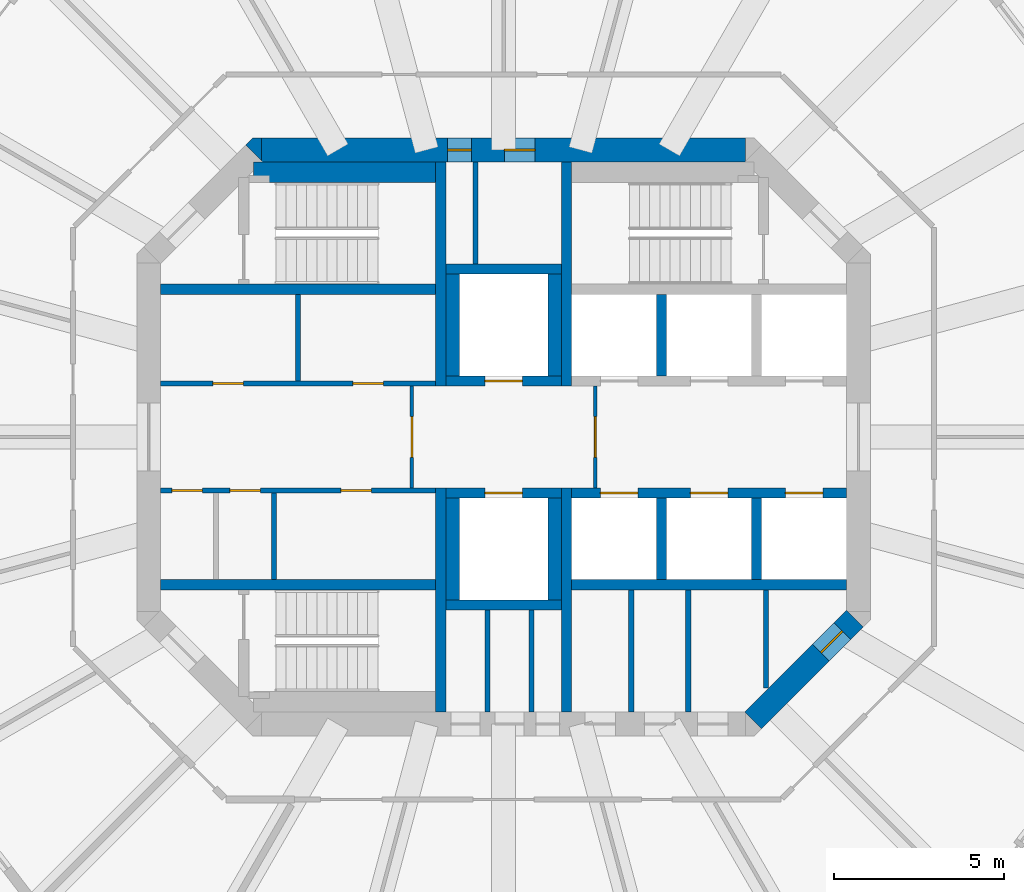
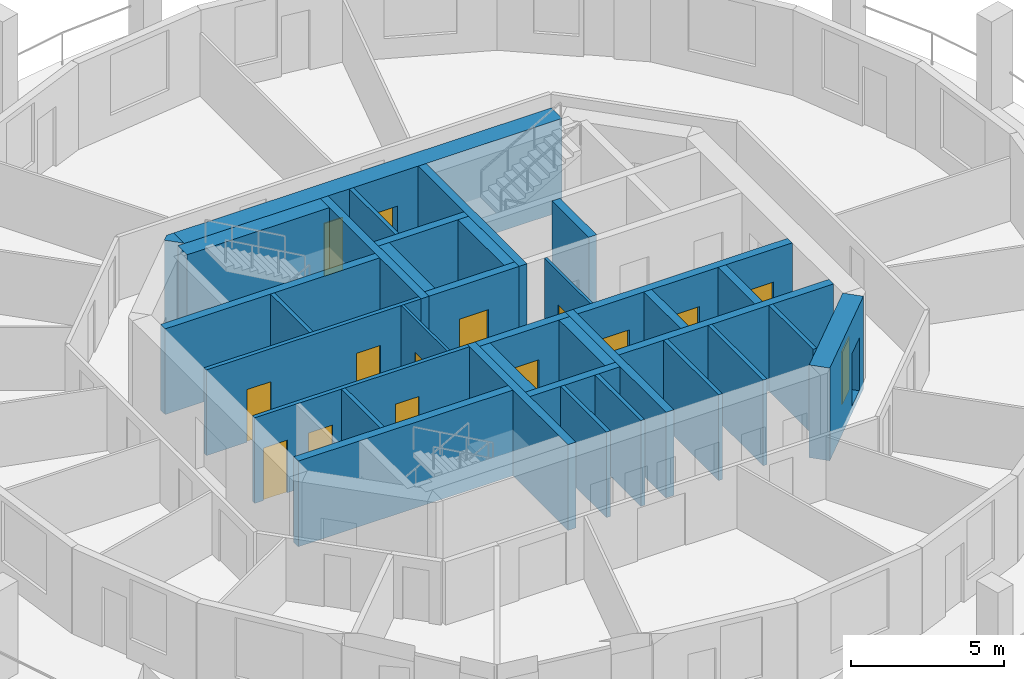
# One storey, part 4 of 9: 35 walls, 15 doors, 15 openings.
"""IFC4 building model written with IfcOpenShell, lengths in metres."""

from ifc_helpers import new_model, si_unit, direction, frame, frame_2d, origin, place, context, subcontext, project, spatial, polyline, rectangle, outline, extrude, material, layer, layer_set, type_object, element, fill, save


model = new_model("IFC4")

# Units and contexts
model_context = context("Model", 3, precision=1e-05, world=origin(), true_north=direction((0.0, 1.0)))
body_context = subcontext(model_context, "Body", "Model", "MODEL_VIEW")
ifc_project = project(units=[si_unit("LENGTHUNIT", "METRE"), si_unit("AREAUNIT", "SQUARE_METRE"), si_unit("VOLUMEUNIT", "CUBIC_METRE"), si_unit("PLANEANGLEUNIT", "RADIAN"), si_unit("MASSUNIT", "GRAM", prefix="KILO")], contexts=[model_context])

# Site, building, storey
site_placement = place(None, origin())
site = spatial("IfcSite", under=ifc_project, at=site_placement, CompositionType="ELEMENT")
building_placement = place(site_placement, origin())
building = spatial("IfcBuilding", under=site, at=building_placement, Name="Torre Triforio", CompositionType="ELEMENT")
storey_placement = place(building_placement, frame((0.0, 0.0, 215.0)))
storey = spatial("IfcBuildingStorey", under=building, at=storey_placement, Name="L49", CompositionType="ELEMENT", Elevation=215.0)

# Walls
ifc_material_1 = material(Name="Concrete C50", Category="concrete")
ifc_layer_1 = layer(ifc_material_1, 0.300048828125)
ifc_layer_set_1 = layer_set([ifc_layer_1], Name="Concrete C50")
wall_type_1 = type_object("IfcWallType", Name="Core wall 300 mm C50 EI 120", PredefinedType="SHEAR", material=ifc_layer_set_1)
for number, where, z_axis, x_axis, name in (
    (1, (-1.85009765625, 1.5, 0.0), (0.0, 0.0, 1.0), (0.0, 1.0, 0.0), "Core wall"),
    (2, (-1.85009765625, -8.10009765625, 0.0), (0.0, 0.0, 1.0), (0.0, 1.0, 0.0), "Core wall"),
    (3, (1.85009765625, 1.5, 0.0), (0.0, 0.0, 1.0), (0.0, 1.0, 0.0), "Core wall"),
    (4, (1.85009765625, -8.10009765625, 0.0), (0.0, 0.0, 1.0), (0.0, 1.0, 0.0), "Core wall"),
):
    element("IfcWall", number, at=place(storey_placement, frame(where, z_axis=z_axis, x_axis=x_axis)), inside=storey, type_object=wall_type_1, Name=name, PredefinedType="SHEAR", context=body_context, shape_type="SweptSolid", body=[
        extrude(rectangle(XDim=6.60009765625, YDim=0.300048828125, at=frame_2d((3.300048828125, 0.0))), origin(), (0.0, 0.0, 1.0), 3.419921875),
    ])

# Wall, openings, doors
ifc_layer_2 = layer(ifc_material_1, 0.699951171875)
ifc_layer_set_2 = layer_set([ifc_layer_2], Name="Concrete C50")
wall_type_2 = type_object("IfcWallType", Name="Core wall 700 mm C50 EI 120", PredefinedType="SHEAR", material=ifc_layer_set_2)
wall_1_placement = place(storey_placement, frame((-7.1298828125, 8.449951171875, -0.280029296875), z_axis=(0.0, 0.0, 1.0), x_axis=(1.0, 0.0, 0.0)))
wall_1 = element("IfcWall", 5, at=wall_1_placement, inside=storey, type_object=wall_type_2, Name="Core wall", PredefinedType="SHEAR", context=body_context, shape_type="SweptSolid", body=[
    extrude(rectangle(XDim=14.259765625, YDim=0.699951171875, at=frame_2d((7.1298828125, 0.0))), origin(), (0.0, 0.0, 1.0), 3.699951171875),
])
opening_1_placement = place(wall_1_placement, frame((5.47998046875, 0.0, 0.280029296875)))
opening_1 = element("IfcOpeningElement", 6, at=opening_1_placement, cuts=wall_1, Name="Opening RISER-N", PredefinedType="OPENING", context=body_context, shape_type="SweptSolid", body=[
    extrude(rectangle(XDim=0.699951171875, YDim=2.10009765625, at=frame_2d((0.35009765625, 1.050048828125))), frame((0.0, 0.35986328125, 0.0), z_axis=(0.0, -1.0, 0.0), x_axis=(1.0, 0.0, 0.0)), (0.0, 0.0, 1.0), 0.719970703125),
])
opening_2_placement = place(wall_1_placement, frame((7.155029296875, 0.0, 0.280029296875)))
opening_2 = element("IfcOpeningElement", 7, at=opening_2_placement, cuts=wall_1, Name="Opening NE-01", PredefinedType="OPENING", context=body_context, shape_type="SweptSolid", body=[
    extrude(rectangle(XDim=0.89990234375, YDim=2.10009765625, at=frame_2d((0.449951171875, 1.050048828125))), frame((0.0, 0.35986328125, 0.0), z_axis=(0.0, -1.0, 0.0), x_axis=(1.0, 0.0, 0.0)), (0.0, 0.0, 1.0), 0.719970703125),
])
ifc_material_2 = material(Name="Hollow metal fire door leaf")
door_type_1 = type_object("IfcDoorType", Name="Riser door 700 x 2100 EI 60", OperationType="NOTDEFINED", PredefinedType="DOOR", material=ifc_material_2)
door_1_placement = place(opening_1_placement, origin())
door_1 = element("IfcDoor", 8, at=door_1_placement, inside=storey, type_object=door_type_1, Name="Core door RISER-N", OperationType="SINGLE_SWING_LEFT", OverallHeight=2.10009765625, OverallWidth=0.699951171875, PredefinedType="DOOR", context=body_context, shape_type="SweptSolid", body=[
    extrude(rectangle(XDim=0.699951171875, YDim=2.10009765625, at=frame_2d((0.35009765625, 1.050048828125))), frame((0.0, 0.02490234375, 0.0), z_axis=(0.0, -1.0, 0.0), x_axis=(1.0, 0.0, 0.0)), (0.0, 0.0, 1.0), 0.050048828125),
])
fill(opening_1, door_1)
door_type_2 = type_object("IfcDoorType", Name="Room door 900 x 2100 EI 60", OperationType="NOTDEFINED", PredefinedType="DOOR", material=ifc_material_2)
door_2_placement = place(opening_2_placement, origin())
door_2 = element("IfcDoor", 9, at=door_2_placement, inside=storey, type_object=door_type_2, Name="Core door NE-01", OperationType="SINGLE_SWING_RIGHT", OverallHeight=2.10009765625, OverallWidth=0.89990234375, PredefinedType="DOOR", context=body_context, shape_type="SweptSolid", body=[
    extrude(rectangle(XDim=0.89990234375, YDim=2.10009765625, at=frame_2d((0.449951171875, 1.050048828125))), frame((0.0, 0.02490234375, 0.0), z_axis=(0.0, -1.0, 0.0), x_axis=(1.0, 0.0, 0.0)), (0.0, 0.0, 1.0), 0.050048828125),
])
fill(opening_2, door_2)

# Wall, opening, door
wall_2_placement = place(storey_placement, frame((10.347412109375, -5.347412109375, -0.280029296875), z_axis=(0.0, 0.0, 1.0), x_axis=(-0.707106781187, -0.707106781187, 0.0)))
wall_2 = element("IfcWall", 10, at=wall_2_placement, inside=storey, type_object=wall_type_2, Name="Core wall", PredefinedType="SHEAR", context=body_context, shape_type="SweptSolid", body=[
    extrude(rectangle(XDim=4.24267578125, YDim=0.699951171875, at=frame_2d((2.121337890625, 0.0))), origin(), (0.0, 0.0, 1.0), 3.699951171875),
])
opening_3_placement = place(wall_2_placement, frame((0.52001953125, 0.0, 0.280029296875)))
opening_3 = element("IfcOpeningElement", 11, at=opening_3_placement, cuts=wall_2, Name="Opening SE-04", PredefinedType="OPENING", context=body_context, shape_type="SweptSolid", body=[
    extrude(rectangle(XDim=0.89990234375, YDim=2.10009765625, at=frame_2d((0.449951171875, 1.050048828125))), frame((0.0, 0.35986328125, 0.0), z_axis=(0.0, -1.0, 0.0), x_axis=(1.0, 0.0, 0.0)), (0.0, 0.0, 1.0), 0.719970703125),
])
door_3_placement = place(opening_3_placement, origin())
door_3 = element("IfcDoor", 12, at=door_3_placement, inside=storey, type_object=door_type_2, Name="Core door SE-04", OperationType="SINGLE_SWING_RIGHT", OverallHeight=2.10009765625, OverallWidth=0.89990234375, PredefinedType="DOOR", context=body_context, shape_type="SweptSolid", body=[
    extrude(rectangle(XDim=0.89990234375, YDim=2.10009765625, at=frame_2d((0.449951171875, 1.050048828125))), frame((0.0, 0.02490234375, 0.0), z_axis=(0.0, -1.0, 0.0), x_axis=(1.0, 0.0, 0.0)), (0.0, 0.0, 1.0), 0.050048828125),
])
fill(opening_3, door_3)

# Wall
wall_3_placement = place(storey_placement, frame((0.0, 0.0, -0.280029296875)))
element("IfcWall", 13, at=wall_3_placement, inside=storey, type_object=wall_type_2, Name="Core wall", PredefinedType="SHEAR", context=body_context, shape_type="SweptSolid", body=[
    extrude(outline(polyline([(-7.389892578125, 8.800048828125), (-7.1298828125, 8.800048828125), (-7.1298828125, 8.800048828125), (-7.1298828125, 8.1298828125), (-7.594970703125, 8.594970703125), (-7.594970703125, 8.594970703125), (-7.594970703125, 8.594970703125), (-7.389892578125, 8.800048828125)])), origin(), (0.0, 0.0, 1.0), 3.699951171875),
])

# Wall, opening, door
ifc_material_3 = material(Name="Block and board partition")
ifc_layer_3 = layer(ifc_material_3, 0.10009765625)
ifc_layer_set_3 = layer_set([ifc_layer_3], Name="Block and board partition")
wall_type_3 = type_object("IfcWallType", Name="Partition 100 mm EI 120", PredefinedType="PARTITIONING", material=ifc_layer_set_3)
wall_4_placement = place(storey_placement, frame((-2.699951171875, -1.5, 0.0), z_axis=(0.0, 0.0, 1.0), x_axis=(0.0, 1.0, 0.0)))
wall_4 = element("IfcWall", 14, at=wall_4_placement, inside=storey, type_object=wall_type_3, Name="Partition", PredefinedType="PARTITIONING", context=body_context, shape_type="SweptSolid", body=[
    extrude(rectangle(XDim=3.0, YDim=0.10009765625, at=frame_2d((1.5, 0.0))), origin(), (0.0, 0.0, 1.0), 3.419921875),
])
opening_4_placement = place(wall_4_placement, frame((0.89990234375, 0.0, 0.0)))
opening_4 = element("IfcOpeningElement", 15, at=opening_4_placement, cuts=wall_4, Name="Opening FF-W", PredefinedType="OPENING", context=body_context, shape_type="SweptSolid", body=[
    extrude(rectangle(XDim=1.199951171875, YDim=2.10009765625, at=frame_2d((0.60009765625, 1.050048828125))), frame((0.0, 0.06005859375, 0.0), z_axis=(0.0, -1.0, 0.0), x_axis=(1.0, 0.0, 0.0)), (0.0, 0.0, 1.0), 0.1201171875),
])
door_type_3 = type_object("IfcDoorType", Name="Fire-fighting lobby door 1200 x 2100 EI 60", OperationType="NOTDEFINED", PredefinedType="DOOR", material=ifc_material_2)
door_4_placement = place(opening_4_placement, origin())
door_4 = element("IfcDoor", 16, at=door_4_placement, inside=storey, type_object=door_type_3, Name="Core door FF-W", OperationType="SINGLE_SWING_RIGHT", OverallHeight=2.10009765625, OverallWidth=1.199951171875, PredefinedType="DOOR", context=body_context, shape_type="SweptSolid", body=[
    extrude(rectangle(XDim=1.199951171875, YDim=2.10009765625, at=frame_2d((0.60009765625, 1.050048828125))), frame((0.0, 0.02490234375, 0.0), z_axis=(0.0, -1.0, 0.0), x_axis=(1.0, 0.0, 0.0)), (0.0, 0.0, 1.0), 0.050048828125),
])
fill(opening_4, door_4)

wall_5_placement = place(storey_placement, frame((2.699951171875, -1.5, 0.0), z_axis=(0.0, 0.0, 1.0), x_axis=(0.0, 1.0, 0.0)))
wall_5 = element("IfcWall", 17, at=wall_5_placement, inside=storey, type_object=wall_type_3, Name="Partition", PredefinedType="PARTITIONING", context=body_context, shape_type="SweptSolid", body=[
    extrude(rectangle(XDim=3.0, YDim=0.10009765625, at=frame_2d((1.5, 0.0))), origin(), (0.0, 0.0, 1.0), 3.419921875),
])
opening_5_placement = place(wall_5_placement, frame((0.89990234375, 0.0, 0.0)))
opening_5 = element("IfcOpeningElement", 18, at=opening_5_placement, cuts=wall_5, Name="Opening FF-E", PredefinedType="OPENING", context=body_context, shape_type="SweptSolid", body=[
    extrude(rectangle(XDim=1.199951171875, YDim=2.10009765625, at=frame_2d((0.60009765625, 1.050048828125))), frame((0.0, 0.06005859375, 0.0), z_axis=(0.0, -1.0, 0.0), x_axis=(1.0, 0.0, 0.0)), (0.0, 0.0, 1.0), 0.1201171875),
])
door_5_placement = place(opening_5_placement, origin())
door_5 = element("IfcDoor", 19, at=door_5_placement, inside=storey, type_object=door_type_3, Name="Core door FF-E", OperationType="SINGLE_SWING_RIGHT", OverallHeight=2.10009765625, OverallWidth=1.199951171875, PredefinedType="DOOR", context=body_context, shape_type="SweptSolid", body=[
    extrude(rectangle(XDim=1.199951171875, YDim=2.10009765625, at=frame_2d((0.60009765625, 1.050048828125))), frame((0.0, 0.02490234375, 0.0), z_axis=(0.0, -1.0, 0.0), x_axis=(1.0, 0.0, 0.0)), (0.0, 0.0, 1.0), 0.050048828125),
])
fill(opening_5, door_5)

# Walls
ifc_layer_4 = layer(ifc_material_3, 0.14990234375)
ifc_layer_set_4 = layer_set([ifc_layer_4], Name="Block and board partition")
wall_type_4 = type_object("IfcWallType", Name="Partition 150 mm", PredefinedType="PARTITIONING", material=ifc_layer_set_4)
wall_6_placement = place(storey_placement, frame((-0.47509765625, -8.10009765625, 0.0), z_axis=(0.0, 0.0, 1.0), x_axis=(0.0, 1.0, 0.0)))
element("IfcWall", 20, at=wall_6_placement, inside=storey, type_object=wall_type_4, Name="Partition", PredefinedType="PARTITIONING", context=body_context, shape_type="SweptSolid", body=[
    extrude(rectangle(XDim=3.0, YDim=0.14990234375, at=frame_2d((1.5, 0.0))), origin(), (0.0, 0.0, 1.0), 3.419921875),
])
for number, where, z_axis, x_axis, name in (
    (21, (3.758056640625, -8.10009765625, 0.0), (0.0, 0.0, 1.0), (0.0, 1.0, 0.0), "Partition"),
    (22, (5.43798828125, -8.10009765625, 0.0), (0.0, 0.0, 1.0), (0.0, 1.0, 0.0), "Partition"),
):
    element("IfcWall", number, at=place(storey_placement, frame(where, z_axis=z_axis, x_axis=x_axis)), inside=storey, type_object=wall_type_4, Name=name, PredefinedType="PARTITIONING", context=body_context, shape_type="SweptSolid", body=[
        extrude(rectangle(XDim=3.60009765625, YDim=0.14990234375, at=frame_2d((1.800048828125, 0.0))), origin(), (0.0, 0.0, 1.0), 3.419921875),
    ])
wall_7_placement = place(storey_placement, frame((7.72998046875, -7.39501953125, 0.0), z_axis=(0.0, 0.0, 1.0), x_axis=(0.0, 1.0, 0.0)))
element("IfcWall", 23, at=wall_7_placement, inside=storey, type_object=wall_type_4, Name="Partition", PredefinedType="PARTITIONING", context=body_context, shape_type="SweptSolid", body=[
    extrude(rectangle(XDim=2.89501953125, YDim=0.14990234375, at=frame_2d((1.447509765625, 0.0))), origin(), (0.0, 0.0, 1.0), 3.419921875),
])
for number, where, z_axis, x_axis, name in (
    (24, (-6.050048828125, 1.64990234375, 0.0), (0.0, 0.0, 1.0), (0.0, 1.0, 0.0), "Partition"),
    (25, (-6.7548828125, -4.199951171875, 0.0), (0.0, 0.0, 1.0), (0.0, 1.0, 0.0), "Partition"),
):
    element("IfcWall", number, at=place(storey_placement, frame(where, z_axis=z_axis, x_axis=x_axis)), inside=storey, type_object=wall_type_4, Name=name, PredefinedType="PARTITIONING", context=body_context, shape_type="SweptSolid", body=[
        extrude(rectangle(XDim=2.550048828125, YDim=0.14990234375, at=frame_2d((1.27490234375, 0.0))), origin(), (0.0, 0.0, 1.0), 3.419921875),
    ])
ifc_layer_5 = layer(ifc_material_3, 0.14990234375)
ifc_layer_set_5 = layer_set([ifc_layer_5], Name="Block and board partition")
wall_type_5 = type_object("IfcWallType", Name="Partition 150 mm EI 120", PredefinedType="PARTITIONING", material=ifc_layer_set_5)
for number, where, z_axis, x_axis, name in (
    (26, (-0.824951171875, 5.10009765625, 0.0), (0.0, 0.0, 1.0), (0.0, 1.0, 0.0), "Partition"),
    (27, (0.824951171875, -8.10009765625, 0.0), (0.0, 0.0, 1.0), (0.0, 1.0, 0.0), "Partition"),
):
    element("IfcWall", number, at=place(storey_placement, frame(where, z_axis=z_axis, x_axis=x_axis)), inside=storey, type_object=wall_type_5, Name=name, PredefinedType="PARTITIONING", context=body_context, shape_type="SweptSolid", body=[
        extrude(rectangle(XDim=3.0, YDim=0.14990234375, at=frame_2d((1.5, 0.0))), origin(), (0.0, 0.0, 1.0), 3.419921875),
    ])

# Wall, openings, doors
wall_8_placement = place(storey_placement, frame((-10.10009765625, 1.574951171875, 0.0), z_axis=(0.0, 0.0, 1.0), x_axis=(1.0, 0.0, 0.0)))
wall_8 = element("IfcWall", 28, at=wall_8_placement, inside=storey, type_object=wall_type_5, Name="Partition", PredefinedType="PARTITIONING", context=body_context, shape_type="SweptSolid", body=[
    extrude(rectangle(XDim=8.10009765625, YDim=0.14990234375, at=frame_2d((4.050048828125, 0.0))), origin(), (0.0, 0.0, 1.0), 3.419921875),
])
opening_6_placement = place(wall_8_placement, frame((1.53759765625, 0.0, 0.0)))
opening_6 = element("IfcOpeningElement", 29, at=opening_6_placement, cuts=wall_8, Name="Opening FN-01", PredefinedType="OPENING", context=body_context, shape_type="SweptSolid", body=[
    extrude(rectangle(XDim=0.89990234375, YDim=2.10009765625, at=frame_2d((0.449951171875, 1.050048828125))), frame((0.0, 0.0849609375, 0.0), z_axis=(0.0, -1.0, 0.0), x_axis=(1.0, 0.0, 0.0)), (0.0, 0.0, 1.0), 0.169921875),
])
opening_7_placement = place(wall_8_placement, frame((5.66259765625, 0.0, 0.0)))
opening_7 = element("IfcOpeningElement", 30, at=opening_7_placement, cuts=wall_8, Name="Opening FN-02", PredefinedType="OPENING", context=body_context, shape_type="SweptSolid", body=[
    extrude(rectangle(XDim=0.89990234375, YDim=2.10009765625, at=frame_2d((0.449951171875, 1.050048828125))), frame((0.0, 0.0849609375, 0.0), z_axis=(0.0, -1.0, 0.0), x_axis=(1.0, 0.0, 0.0)), (0.0, 0.0, 1.0), 0.169921875),
])
door_6_placement = place(opening_6_placement, origin())
door_6 = element("IfcDoor", 31, at=door_6_placement, inside=storey, type_object=door_type_2, Name="Core door FN-01", OperationType="SINGLE_SWING_RIGHT", OverallHeight=2.10009765625, OverallWidth=0.89990234375, PredefinedType="DOOR", context=body_context, shape_type="SweptSolid", body=[
    extrude(rectangle(XDim=0.89990234375, YDim=2.10009765625, at=frame_2d((0.449951171875, 1.050048828125))), frame((0.0, 0.02490234375, 0.0), z_axis=(0.0, -1.0, 0.0), x_axis=(1.0, 0.0, 0.0)), (0.0, 0.0, 1.0), 0.050048828125),
])
fill(opening_6, door_6)
door_7_placement = place(opening_7_placement, origin())
door_7 = element("IfcDoor", 32, at=door_7_placement, inside=storey, type_object=door_type_2, Name="Core door FN-02", OperationType="SINGLE_SWING_RIGHT", OverallHeight=2.10009765625, OverallWidth=0.89990234375, PredefinedType="DOOR", context=body_context, shape_type="SweptSolid", body=[
    extrude(rectangle(XDim=0.89990234375, YDim=2.10009765625, at=frame_2d((0.449951171875, 1.050048828125))), frame((0.0, 0.02490234375, 0.0), z_axis=(0.0, -1.0, 0.0), x_axis=(1.0, 0.0, 0.0)), (0.0, 0.0, 1.0), 0.050048828125),
])
fill(opening_7, door_7)

wall_9_placement = place(storey_placement, frame((-10.10009765625, -1.574951171875, 0.0), z_axis=(0.0, 0.0, 1.0), x_axis=(1.0, 0.0, 0.0)))
wall_9 = element("IfcWall", 33, at=wall_9_placement, inside=storey, type_object=wall_type_5, Name="Partition", PredefinedType="PARTITIONING", context=body_context, shape_type="SweptSolid", body=[
    extrude(rectangle(XDim=8.10009765625, YDim=0.14990234375, at=frame_2d((4.050048828125, 0.0))), origin(), (0.0, 0.0, 1.0), 3.419921875),
])
opening_8_placement = place(wall_9_placement, frame((0.330078125, 0.0, 0.0)))
opening_8 = element("IfcOpeningElement", 34, at=opening_8_placement, cuts=wall_9, Name="Opening FS-01", PredefinedType="OPENING", context=body_context, shape_type="SweptSolid", body=[
    extrude(rectangle(XDim=0.89990234375, YDim=2.10009765625, at=frame_2d((0.449951171875, 1.050048828125))), frame((0.0, 0.0849609375, 0.0), z_axis=(0.0, -1.0, 0.0), x_axis=(1.0, 0.0, 0.0)), (0.0, 0.0, 1.0), 0.169921875),
])
opening_9_placement = place(wall_9_placement, frame((2.0400390625, 0.0, 0.0)))
opening_9 = element("IfcOpeningElement", 35, at=opening_9_placement, cuts=wall_9, Name="Opening FS-02", PredefinedType="OPENING", context=body_context, shape_type="SweptSolid", body=[
    extrude(rectangle(XDim=0.89990234375, YDim=2.10009765625, at=frame_2d((0.449951171875, 1.050048828125))), frame((0.0, 0.0849609375, 0.0), z_axis=(0.0, -1.0, 0.0), x_axis=(1.0, 0.0, 0.0)), (0.0, 0.0, 1.0), 0.169921875),
])
opening_10_placement = place(wall_9_placement, frame((5.31005859375, 0.0, 0.0)))
opening_10 = element("IfcOpeningElement", 36, at=opening_10_placement, cuts=wall_9, Name="Opening FS-03", PredefinedType="OPENING", context=body_context, shape_type="SweptSolid", body=[
    extrude(rectangle(XDim=0.89990234375, YDim=2.10009765625, at=frame_2d((0.449951171875, 1.050048828125))), frame((0.0, 0.0849609375, 0.0), z_axis=(0.0, -1.0, 0.0), x_axis=(1.0, 0.0, 0.0)), (0.0, 0.0, 1.0), 0.169921875),
])
door_8_placement = place(opening_8_placement, origin())
door_8 = element("IfcDoor", 37, at=door_8_placement, inside=storey, type_object=door_type_2, Name="Core door FS-01", OperationType="SINGLE_SWING_LEFT", OverallHeight=2.10009765625, OverallWidth=0.89990234375, PredefinedType="DOOR", context=body_context, shape_type="SweptSolid", body=[
    extrude(rectangle(XDim=0.89990234375, YDim=2.10009765625, at=frame_2d((0.449951171875, 1.050048828125))), frame((0.0, 0.02490234375, 0.0), z_axis=(0.0, -1.0, 0.0), x_axis=(1.0, 0.0, 0.0)), (0.0, 0.0, 1.0), 0.050048828125),
])
fill(opening_8, door_8)
door_9_placement = place(opening_9_placement, origin())
door_9 = element("IfcDoor", 38, at=door_9_placement, inside=storey, type_object=door_type_2, Name="Core door FS-02", OperationType="SINGLE_SWING_LEFT", OverallHeight=2.10009765625, OverallWidth=0.89990234375, PredefinedType="DOOR", context=body_context, shape_type="SweptSolid", body=[
    extrude(rectangle(XDim=0.89990234375, YDim=2.10009765625, at=frame_2d((0.449951171875, 1.050048828125))), frame((0.0, 0.02490234375, 0.0), z_axis=(0.0, -1.0, 0.0), x_axis=(1.0, 0.0, 0.0)), (0.0, 0.0, 1.0), 0.050048828125),
])
fill(opening_9, door_9)
door_10_placement = place(opening_10_placement, origin())
door_10 = element("IfcDoor", 39, at=door_10_placement, inside=storey, type_object=door_type_2, Name="Core door FS-03", OperationType="SINGLE_SWING_LEFT", OverallHeight=2.10009765625, OverallWidth=0.89990234375, PredefinedType="DOOR", context=body_context, shape_type="SweptSolid", body=[
    extrude(rectangle(XDim=0.89990234375, YDim=2.10009765625, at=frame_2d((0.449951171875, 1.050048828125))), frame((0.0, 0.02490234375, 0.0), z_axis=(0.0, -1.0, 0.0), x_axis=(1.0, 0.0, 0.0)), (0.0, 0.0, 1.0), 0.050048828125),
])
fill(opening_10, door_10)

# Walls
ifc_layer_6 = layer(ifc_material_1, 0.300048828125)
ifc_layer_set_6 = layer_set([ifc_layer_6], Name="Concrete C50")
wall_type_6 = type_object("IfcWallType", Name="Shaft wall 300 mm C50 EI 120", PredefinedType="SOLIDWALL", material=ifc_layer_set_6)
for number, where, z_axis, x_axis, name in (
    (40, (-10.10009765625, 4.35009765625, 0.0), (0.0, 0.0, 1.0), (1.0, 0.0, 0.0), "Shaft wall"),
    (41, (-10.10009765625, -4.35009765625, 0.0), (0.0, 0.0, 1.0), (1.0, 0.0, 0.0), "Shaft wall"),
    (42, (2.0, -4.35009765625, 0.0), (0.0, 0.0, 1.0), (1.0, 0.0, 0.0), "Shaft wall"),
):
    element("IfcWall", number, at=place(storey_placement, frame(where, z_axis=z_axis, x_axis=x_axis)), inside=storey, type_object=wall_type_6, Name=name, PredefinedType="SOLIDWALL", context=body_context, shape_type="SweptSolid", body=[
        extrude(rectangle(XDim=8.10009765625, YDim=0.300048828125, at=frame_2d((4.050048828125, 0.0))), origin(), (0.0, 0.0, 1.0), 3.419921875),
    ])

# Wall, openings, doors
wall_10_placement = place(storey_placement, frame((2.0, -1.64990234375, 0.0), z_axis=(0.0, 0.0, 1.0), x_axis=(1.0, 0.0, 0.0)))
wall_10 = element("IfcWall", 43, at=wall_10_placement, inside=storey, type_object=wall_type_6, Name="Shaft wall", PredefinedType="SOLIDWALL", context=body_context, shape_type="SweptSolid", body=[
    extrude(rectangle(XDim=8.10009765625, YDim=0.300048828125, at=frame_2d((4.050048828125, 0.0))), origin(), (0.0, 0.0, 1.0), 3.419921875),
])
opening_11_placement = place(wall_10_placement, frame((0.85009765625, 0.0, 0.0)))
opening_11 = element("IfcOpeningElement", 44, at=opening_11_placement, cuts=wall_10, Name="Opening LD", PredefinedType="OPENING", context=body_context, shape_type="SweptSolid", body=[
    extrude(rectangle(XDim=1.10009765625, YDim=2.10009765625, at=frame_2d((0.550048828125, 1.050048828125))), frame((0.0, 0.159912109375, 0.0), z_axis=(0.0, -1.0, 0.0), x_axis=(1.0, 0.0, 0.0)), (0.0, 0.0, 1.0), 0.320068359375),
])
opening_12_placement = place(wall_10_placement, frame((3.5, 0.0, 0.0)))
opening_12 = element("IfcOpeningElement", 45, at=opening_12_placement, cuts=wall_10, Name="Opening LD", PredefinedType="OPENING", context=body_context, shape_type="SweptSolid", body=[
    extrude(rectangle(XDim=1.10009765625, YDim=2.10009765625, at=frame_2d((0.550048828125, 1.050048828125))), frame((0.0, 0.159912109375, 0.0), z_axis=(0.0, -1.0, 0.0), x_axis=(1.0, 0.0, 0.0)), (0.0, 0.0, 1.0), 0.320068359375),
])
opening_13_placement = place(wall_10_placement, frame((6.300048828125, 0.0, 0.0)))
opening_13 = element("IfcOpeningElement", 46, at=opening_13_placement, cuts=wall_10, Name="Opening LD", PredefinedType="OPENING", context=body_context, shape_type="SweptSolid", body=[
    extrude(rectangle(XDim=1.10009765625, YDim=2.10009765625, at=frame_2d((0.550048828125, 1.050048828125))), frame((0.0, 0.159912109375, 0.0), z_axis=(0.0, -1.0, 0.0), x_axis=(1.0, 0.0, 0.0)), (0.0, 0.0, 1.0), 0.320068359375),
])
door_type_4 = type_object("IfcDoorType", Name="Landing door 1100 x 2100 EI 60", OperationType="DOUBLE_DOOR_SLIDING", PredefinedType="DOOR", material=ifc_material_2)
door_11_placement = place(opening_11_placement, origin())
door_11 = element("IfcDoor", 47, at=door_11_placement, inside=storey, type_object=door_type_4, Name="Landing door HR4", OperationType="DOUBLE_DOOR_SLIDING", OverallHeight=2.10009765625, OverallWidth=1.10009765625, PredefinedType="DOOR", context=body_context, shape_type="SweptSolid", body=[
    extrude(rectangle(XDim=1.10009765625, YDim=2.10009765625, at=frame_2d((0.550048828125, 1.050048828125))), frame((0.0, 0.02490234375, 0.0), z_axis=(0.0, -1.0, 0.0), x_axis=(1.0, 0.0, 0.0)), (0.0, 0.0, 1.0), 0.050048828125),
])
fill(opening_11, door_11)
door_12_placement = place(opening_12_placement, origin())
door_12 = element("IfcDoor", 48, at=door_12_placement, inside=storey, type_object=door_type_4, Name="Landing door HR5", OperationType="DOUBLE_DOOR_SLIDING", OverallHeight=2.10009765625, OverallWidth=1.10009765625, PredefinedType="DOOR", context=body_context, shape_type="SweptSolid", body=[
    extrude(rectangle(XDim=1.10009765625, YDim=2.10009765625, at=frame_2d((0.550048828125, 1.050048828125))), frame((0.0, 0.02490234375, 0.0), z_axis=(0.0, -1.0, 0.0), x_axis=(1.0, 0.0, 0.0)), (0.0, 0.0, 1.0), 0.050048828125),
])
fill(opening_12, door_12)
door_13_placement = place(opening_13_placement, origin())
door_13 = element("IfcDoor", 49, at=door_13_placement, inside=storey, type_object=door_type_4, Name="Landing door HR6", OperationType="DOUBLE_DOOR_SLIDING", OverallHeight=2.10009765625, OverallWidth=1.10009765625, PredefinedType="DOOR", context=body_context, shape_type="SweptSolid", body=[
    extrude(rectangle(XDim=1.10009765625, YDim=2.10009765625, at=frame_2d((0.550048828125, 1.050048828125))), frame((0.0, 0.02490234375, 0.0), z_axis=(0.0, -1.0, 0.0), x_axis=(1.0, 0.0, 0.0)), (0.0, 0.0, 1.0), 0.050048828125),
])
fill(opening_13, door_13)

# Walls
for number, where, z_axis, x_axis, name in (
    (50, (4.64990234375, 1.800048828125, 0.0), (0.0, 0.0, 1.0), (0.0, 1.0, 0.0), "Shaft wall"),
    (51, (4.64990234375, -4.199951171875, 0.0), (0.0, 0.0, 1.0), (0.0, 1.0, 0.0), "Shaft wall"),
    (52, (7.449951171875, -4.199951171875, 0.0), (0.0, 0.0, 1.0), (0.0, 1.0, 0.0), "Shaft wall"),
):
    element("IfcWall", number, at=place(storey_placement, frame(where, z_axis=z_axis, x_axis=x_axis)), inside=storey, type_object=wall_type_6, Name=name, PredefinedType="SOLIDWALL", context=body_context, shape_type="SweptSolid", body=[
        extrude(rectangle(XDim=2.39990234375, YDim=0.300048828125, at=frame_2d((1.199951171875, 0.0))), origin(), (0.0, 0.0, 1.0), 3.419921875),
    ])

# Wall, opening, door
wall_11_placement = place(storey_placement, frame((-1.699951171875, 1.64990234375, 0.0), z_axis=(0.0, 0.0, 1.0), x_axis=(1.0, 0.0, 0.0)))
wall_11 = element("IfcWall", 53, at=wall_11_placement, inside=storey, type_object=wall_type_6, Name="Shaft wall", PredefinedType="SOLIDWALL", context=body_context, shape_type="SweptSolid", body=[
    extrude(rectangle(XDim=3.39990234375, YDim=0.300048828125, at=frame_2d((1.699951171875, 0.0))), origin(), (0.0, 0.0, 1.0), 3.419921875),
])
opening_14_placement = place(wall_11_placement, frame((1.14990234375, 0.0, 0.0)))
opening_14 = element("IfcOpeningElement", 54, at=opening_14_placement, cuts=wall_11, Name="Opening LD", PredefinedType="OPENING", context=body_context, shape_type="SweptSolid", body=[
    extrude(rectangle(XDim=1.10009765625, YDim=2.10009765625, at=frame_2d((0.550048828125, 1.050048828125))), frame((0.0, 0.159912109375, 0.0), z_axis=(0.0, -1.0, 0.0), x_axis=(1.0, 0.0, 0.0)), (0.0, 0.0, 1.0), 0.320068359375),
])
door_14_placement = place(opening_14_placement, origin())
door_14 = element("IfcDoor", 55, at=door_14_placement, inside=storey, type_object=door_type_4, Name="Landing door FFL1", OperationType="DOUBLE_DOOR_SLIDING", OverallHeight=2.10009765625, OverallWidth=1.10009765625, PredefinedType="DOOR", context=body_context, shape_type="SweptSolid", body=[
    extrude(rectangle(XDim=1.10009765625, YDim=2.10009765625, at=frame_2d((0.550048828125, 1.050048828125))), frame((0.0, 0.02490234375, 0.0), z_axis=(0.0, -1.0, 0.0), x_axis=(1.0, 0.0, 0.0)), (0.0, 0.0, 1.0), 0.050048828125),
])
fill(opening_14, door_14)

wall_12_placement = place(storey_placement, frame((-1.699951171875, -1.64990234375, 0.0), z_axis=(0.0, 0.0, 1.0), x_axis=(1.0, 0.0, 0.0)))
wall_12 = element("IfcWall", 56, at=wall_12_placement, inside=storey, type_object=wall_type_6, Name="Shaft wall", PredefinedType="SOLIDWALL", context=body_context, shape_type="SweptSolid", body=[
    extrude(rectangle(XDim=3.39990234375, YDim=0.300048828125, at=frame_2d((1.699951171875, 0.0))), origin(), (0.0, 0.0, 1.0), 3.419921875),
])
opening_15_placement = place(wall_12_placement, frame((1.14990234375, 0.0, 0.0)))
opening_15 = element("IfcOpeningElement", 57, at=opening_15_placement, cuts=wall_12, Name="Opening LD", PredefinedType="OPENING", context=body_context, shape_type="SweptSolid", body=[
    extrude(rectangle(XDim=1.10009765625, YDim=2.10009765625, at=frame_2d((0.550048828125, 1.050048828125))), frame((0.0, 0.159912109375, 0.0), z_axis=(0.0, -1.0, 0.0), x_axis=(1.0, 0.0, 0.0)), (0.0, 0.0, 1.0), 0.320068359375),
])
door_15_placement = place(opening_15_placement, origin())
door_15 = element("IfcDoor", 58, at=door_15_placement, inside=storey, type_object=door_type_4, Name="Landing door FFL2", OperationType="DOUBLE_DOOR_SLIDING", OverallHeight=2.10009765625, OverallWidth=1.10009765625, PredefinedType="DOOR", context=body_context, shape_type="SweptSolid", body=[
    extrude(rectangle(XDim=1.10009765625, YDim=2.10009765625, at=frame_2d((0.550048828125, 1.050048828125))), frame((0.0, 0.02490234375, 0.0), z_axis=(0.0, -1.0, 0.0), x_axis=(1.0, 0.0, 0.0)), (0.0, 0.0, 1.0), 0.050048828125),
])
fill(opening_15, door_15)

# Walls
for number, where, z_axis, x_axis, name in (
    (59, (-1.699951171875, 4.949951171875, 0.0), (0.0, 0.0, 1.0), (1.0, 0.0, 0.0), "Shaft wall"),
    (60, (-1.699951171875, -4.949951171875, 0.0), (0.0, 0.0, 1.0), (1.0, 0.0, 0.0), "Shaft wall"),
):
    element("IfcWall", number, at=place(storey_placement, frame(where, z_axis=z_axis, x_axis=x_axis)), inside=storey, type_object=wall_type_6, Name=name, PredefinedType="SOLIDWALL", context=body_context, shape_type="SweptSolid", body=[
        extrude(rectangle(XDim=3.39990234375, YDim=0.300048828125, at=frame_2d((1.699951171875, 0.0))), origin(), (0.0, 0.0, 1.0), 3.419921875),
    ])
ifc_layer_7 = layer(ifc_material_1, 0.39990234375)
ifc_layer_set_7 = layer_set([ifc_layer_7], Name="Concrete C50")
wall_type_7 = type_object("IfcWallType", Name="Shaft wall 400 mm C50 EI 120", PredefinedType="SOLIDWALL", material=ifc_layer_set_7)
for number, where, z_axis, x_axis, name in (
    (61, (-1.5, 1.800048828125, 0.0), (0.0, 0.0, 1.0), (0.0, 1.0, 0.0), "Shaft wall"),
    (62, (-1.5, -4.800048828125, 0.0), (0.0, 0.0, 1.0), (0.0, 1.0, 0.0), "Shaft wall"),
    (63, (1.5, 1.800048828125, 0.0), (0.0, 0.0, 1.0), (0.0, 1.0, 0.0), "Shaft wall"),
    (64, (1.5, -4.800048828125, 0.0), (0.0, 0.0, 1.0), (0.0, 1.0, 0.0), "Shaft wall"),
):
    element("IfcWall", number, at=place(storey_placement, frame(where, z_axis=z_axis, x_axis=x_axis)), inside=storey, type_object=wall_type_7, Name=name, PredefinedType="SOLIDWALL", context=body_context, shape_type="SweptSolid", body=[
        extrude(rectangle(XDim=3.0, YDim=0.39990234375, at=frame_2d((1.5, 0.0))), origin(), (0.0, 0.0, 1.0), 3.419921875),
    ])
ifc_layer_8 = layer(ifc_material_1, 0.60009765625)
ifc_layer_set_8 = layer_set([ifc_layer_8], Name="Concrete C50")
wall_type_8 = type_object("IfcWallType", Name="Stair wall 600 mm C50 EI 120", PredefinedType="SHEAR", material=ifc_layer_set_8)
wall_13_placement = place(storey_placement, frame((-7.3701171875, 7.800048828125, 0.0), z_axis=(0.0, 0.0, 1.0), x_axis=(1.0, 0.0, 0.0)))
element("IfcWall", 65, at=wall_13_placement, inside=storey, type_object=wall_type_8, Name="Stair wall", PredefinedType="SHEAR", context=body_context, shape_type="SweptSolid", body=[
    extrude(rectangle(XDim=5.3701171875, YDim=0.60009765625, at=frame_2d((2.68505859375, 0.0))), origin(), (0.0, 0.0, 1.0), 3.419921875),
])

save(model, "model.ifc")
